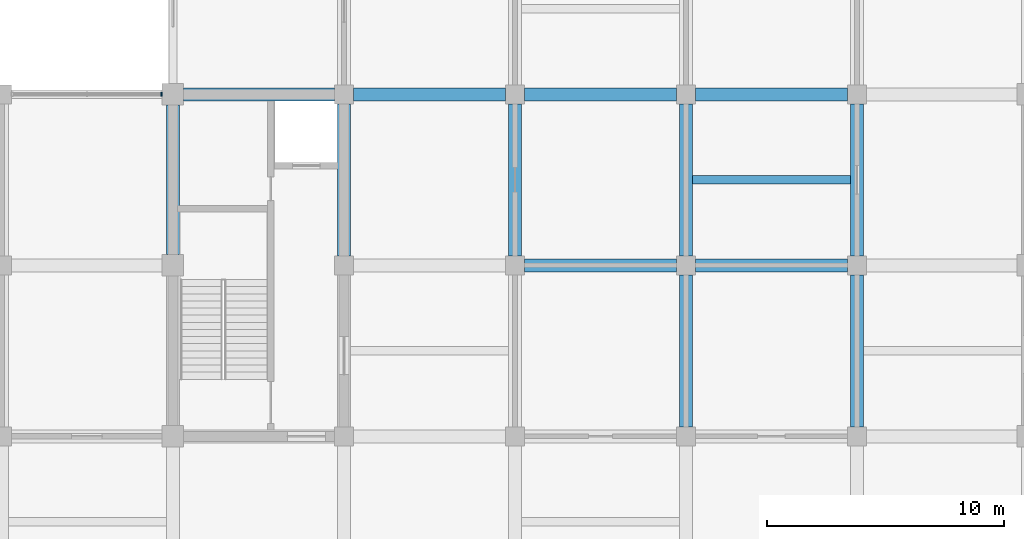
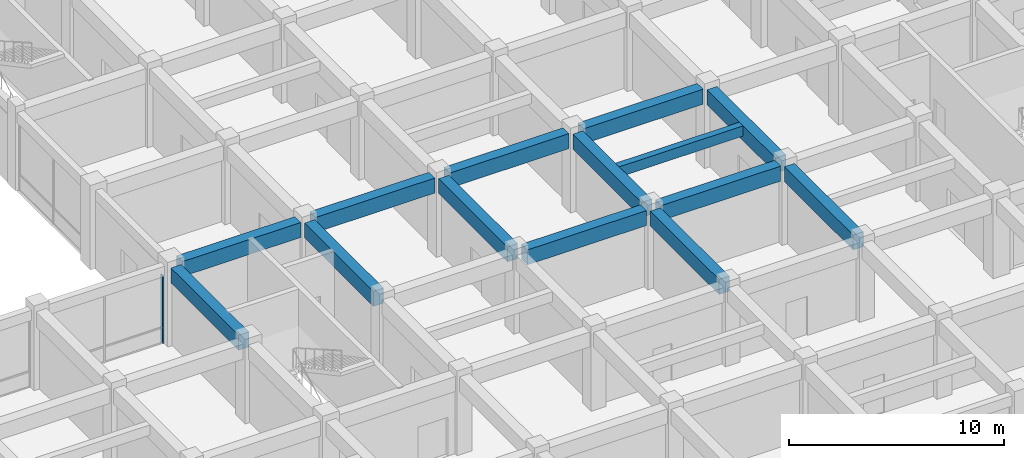
# One storey, part 11 of 75: 14 beams, 1 member, 1 element without a shape of its own.
"""IFC4 building model written with IfcOpenShell, lengths in metres."""

import ifcopenshell
import ifcopenshell.guid

model = None  # the IFC model being written
_history = None  # IfcOwnerHistory: only IFC2X3 demands one
_inside = {}  # id of a spatial element -> (the spatial element, [elements in it])
_under = {}  # id of a project, library or spatial element -> (it, [spatial elements below it])
_declared = {}  # id of a project -> (the project, [libraries it declares])
_typed = {}  # id of a type object -> (the type object, [elements of that type])
_made_of = {}  # id of a material, layer set ... -> (it, [elements and type objects made of it])


def new_model(schema):
    """Start an empty IFC model of exactly this schema.

    Asked for "IFC4X3", IfcOpenShell would pick the latest addendum, in which some entities
    have other attributes; the version numbers below select the first issue.
    IFC2X3 requires an IfcOwnerHistory on every rooted entity: one is made here for all.
    """
    global model, _history
    if schema == "IFC4X3":
        model = ifcopenshell.file(schema_version=(4, 3, 0, 0))
    else:
        model = ifcopenshell.file(schema=schema)
    _inside.clear()
    _under.clear()
    _declared.clear()
    _typed.clear()
    _made_of.clear()
    _history = None
    if model.schema == "IFC2X3":
        org = make("IfcOrganization", Name="unknown")
        user = make(
            "IfcPersonAndOrganization",
            ThePerson=make("IfcPerson", FamilyName="unknown"),
            TheOrganization=org,
        )
        app = make(
            "IfcApplication",
            ApplicationDeveloper=org,
            Version="unknown",
            ApplicationFullName="unknown",
            ApplicationIdentifier="unknown",
        )
        _history = make(
            "IfcOwnerHistory",
            OwningUser=user,
            OwningApplication=app,
            ChangeAction="ADDED",
            CreationDate=0,
        )
    return model


def make(cls, **values):
    """One entity of the class cls with the attributes given. An attribute that is None is left unset."""
    return model.create_entity(
        cls, **{name: value for name, value in values.items() if value is not None}
    )


def rooted(cls, **values):
    """An entity with a GlobalId (a new one), such as an element, a storey or a relation."""
    return make(cls, GlobalId=ifcopenshell.guid.new(), OwnerHistory=_history, **values)


def si_unit(unit_type, name, prefix=None):
    """IfcSIUnit, for example si_unit("LENGTHUNIT", "METRE", prefix="MILLI")."""
    return make("IfcSIUnit", UnitType=unit_type, Prefix=prefix, Name=name)


def assignment(units):
    """IfcUnitAssignment: the units of a project."""
    return None if units is None else make("IfcUnitAssignment", Units=units)


def point(xyz):
    """IfcCartesianPoint."""
    return None if xyz is None else make("IfcCartesianPoint", Coordinates=xyz)


def direction(xyz):
    """IfcDirection."""
    return None if xyz is None else make("IfcDirection", DirectionRatios=xyz)


def frame(location, z_axis=None, x_axis=None):
    """IfcAxis2Placement3D, a coordinate frame: its origin and axes. An axis left out is left unset."""
    return make(
        "IfcAxis2Placement3D",
        Location=point(location),
        Axis=direction(z_axis),
        RefDirection=direction(x_axis),
    )


def frame_2d(location, x_axis=None):
    """IfcAxis2Placement2D, a coordinate frame in the plane: its origin and x axis."""
    return make(
        "IfcAxis2Placement2D", Location=point(location), RefDirection=direction(x_axis)
    )


def origin():
    """The frame at (0, 0, 0) with its axes left unset."""
    return frame((0.0, 0.0, 0.0))


def origin_2d():
    """The frame at (0, 0) in the plane with its x axis left unset."""
    return frame_2d((0.0, 0.0))


def place(relative_to, where):
    """IfcLocalPlacement: puts the frame where relative to a parent placement (None: the world)."""
    return make(
        "IfcLocalPlacement", PlacementRelTo=relative_to, RelativePlacement=where
    )


def context(
    kind, dimensions, precision=None, world=None, true_north=None, identifier=None
):
    """IfcGeometricRepresentationContext, for example the 3D "Model" context."""
    return make(
        "IfcGeometricRepresentationContext",
        ContextIdentifier=identifier,
        ContextType=kind,
        CoordinateSpaceDimension=dimensions,
        Precision=precision,
        WorldCoordinateSystem=world,
        TrueNorth=true_north,
    )


def subcontext(parent, identifier, kind, view, scale=None):
    """IfcGeometricRepresentationSubContext, for example "Body" below "Model"."""
    return make(
        "IfcGeometricRepresentationSubContext",
        ContextIdentifier=identifier,
        ContextType=kind,
        ParentContext=parent,
        TargetScale=scale,
        TargetView=view,
    )


def project(units=None, contexts=None):
    """IfcProject with its units and contexts."""
    return rooted(
        "IfcProject",
        Name="project",
        RepresentationContexts=contexts,
        UnitsInContext=assignment(units),
    )


def spatial(cls, under=None, at=None, **own):
    """A site, building, storey or space (cls), placed at a placement, below another one or the project."""
    s = rooted(cls, ObjectPlacement=at, **own)
    if under is not None:
        _under.setdefault(under.id(), (under, []))[1].append(s)
    return s


def profile(cls, at=None, kind="AREA", **sizes):
    """A parametric profile (cls). Its sizes go by their IFC names, for example OverallWidth=200.0."""
    return make(cls, ProfileType=kind, Position=at, **sizes)


def rectangle(**sizes):
    """IfcRectangleProfileDef."""
    return profile("IfcRectangleProfileDef", **sizes)


def extrude(swept, where, along, depth):
    """IfcExtrudedAreaSolid: the profile swept, set in the frame where, extruded along a direction by depth."""
    return make(
        "IfcExtrudedAreaSolid",
        SweptArea=swept,
        Position=where,
        ExtrudedDirection=direction(along),
        Depth=depth,
    )


def shape(context_of_items, identifier, shape_type, items):
    """IfcShapeRepresentation: the items that make up one representation, for example the "Body"."""
    return make(
        "IfcShapeRepresentation",
        ContextOfItems=context_of_items,
        RepresentationIdentifier=identifier,
        RepresentationType=shape_type,
        Items=items,
    )


def material(Name=None, Category=None):
    """IfcMaterial."""
    return make("IfcMaterial", Name=Name, Category=Category)


def layer(
    of_material, thickness, ventilated=None, Name=None, Category=None, Priority=None
):
    """IfcMaterialLayer: one layer of a wall or slab, of a material (None: an air gap)."""
    return make(
        "IfcMaterialLayer",
        Material=of_material,
        LayerThickness=thickness,
        IsVentilated=ventilated,
        Name=Name,
        Category=Category,
        Priority=Priority,
    )


def layer_set(layers, Name=None):
    """IfcMaterialLayerSet."""
    return make("IfcMaterialLayerSet", MaterialLayers=layers, LayerSetName=Name)


def material_profile(
    of_material, cross_section, Name=None, Category=None, Priority=None
):
    """IfcMaterialProfile: a cross section and its material."""
    return make(
        "IfcMaterialProfile",
        Name=Name,
        Material=of_material,
        Profile=cross_section,
        Priority=Priority,
        Category=Category,
    )


def profile_set(profiles, Name=None, composite=None):
    """IfcMaterialProfileSet."""
    return make(
        "IfcMaterialProfileSet",
        Name=Name,
        MaterialProfiles=profiles,
        CompositeProfile=composite,
    )


def made_of(thing, what):
    """Note that an element or type object is made of a material, layer set ...; save() writes the relation."""
    if what is not None:
        _made_of.setdefault(what.id(), (what, []))[1].append(thing)
    return thing


def type_object(cls, material=None, **own):
    """A type object (cls), such as IfcWallType, which elements share."""
    return made_of(rooted(cls, **own), material)


def element(
    cls,
    number,
    at=None,
    inside=None,
    cuts=None,
    type_object=None,
    material=None,
    context=None,
    identifier="Body",
    shape_type=None,
    held_by="IfcProductDefinitionShape",
    body=None,
    shapes=None,
    **own,
):
    """One element of the class cls, such as IfcWall. Its Tag is "e" and its number.

    at: its placement. inside: the storey or other place that contains it. cuts: it is an
    opening in that element (IfcRelVoidsElement). A single representation is given by context,
    identifier, shape_type and body (its items); several are given by shapes. held_by: the class
    of the entity that holds the representations. save() writes the other relations.
    """
    e = rooted(cls, Tag="e%d" % number, ObjectPlacement=at, **own)
    if body is not None:
        shapes = [shape(context, identifier, shape_type, body)]
    if shapes is not None:
        e.Representation = make(held_by, Representations=shapes)
    if inside is not None:
        _inside.setdefault(inside.id(), (inside, []))[1].append(e)
    if cuts is not None:
        rooted(
            "IfcRelVoidsElement", RelatingBuildingElement=cuts, RelatedOpeningElement=e
        )
    if type_object is not None:
        _typed.setdefault(type_object.id(), (type_object, []))[1].append(e)
    return made_of(e, material)


def aggregate(whole, parts):
    """IfcRelAggregates: a whole, such as a stair, and the parts it consists of."""
    return rooted("IfcRelAggregates", RelatingObject=whole, RelatedObjects=parts)


def save(model, path):
    """Write the relations noted so far, then the file.

    IfcRelAggregates (storeys below a building ...), IfcRelContainedInSpatialStructure (elements
    in a storey), IfcRelDefinesByType, IfcRelAssociatesMaterial and IfcRelDeclares: one each for
    every whole, place, type object, material and project.
    """
    for whole, parts in _under.values():
        aggregate(whole, parts)
    for where, things in _inside.values():
        rooted(
            "IfcRelContainedInSpatialStructure",
            RelatedElements=things,
            RelatingStructure=where,
        )
    for kind, things in _typed.values():
        rooted("IfcRelDefinesByType", RelatedObjects=things, RelatingType=kind)
    for what, things in _made_of.values():
        rooted("IfcRelAssociatesMaterial", RelatedObjects=things, RelatingMaterial=what)
    for by, libraries in _declared.values():
        rooted("IfcRelDeclares", RelatingContext=by, RelatedDefinitions=libraries)
    model.write(path)


model = new_model("IFC4")

# Units and contexts
model_context = context("Model", 3, precision=1e-05, world=origin(), true_north=direction((0.0, 1.0)))
body_context = subcontext(model_context, "Body", "Model", "MODEL_VIEW")
ifc_project = project(units=[si_unit("LENGTHUNIT", "METRE"), si_unit("AREAUNIT", "SQUARE_METRE"), si_unit("VOLUMEUNIT", "CUBIC_METRE"), si_unit("PLANEANGLEUNIT", "RADIAN"), si_unit("MASSUNIT", "GRAM", prefix="KILO")], contexts=[model_context])

# Site, building, storey
site_placement = place(None, origin())
site = spatial("IfcSite", under=ifc_project, at=site_placement, CompositionType="ELEMENT")
building_placement = place(site_placement, origin())
building = spatial("IfcBuilding", under=site, at=building_placement, Name="Cendaluz Park School", CompositionType="ELEMENT")
storey_placement = place(building_placement, frame((0.0, 0.0, 4.800048828125)))
storey = spatial("IfcBuildingStorey", under=building, at=storey_placement, Name="L01", CompositionType="ELEMENT", Elevation=4.800048828125)

# Beams
ifc_material_1 = material(Name="Concrete C40/50", Category="concrete")
ifc_material_profile_1 = material_profile(ifc_material_1, rectangle(XDim=0.550048828125, YDim=0.85009765625, at=origin_2d()), Name="RC 550x850", Category="concrete")
ifc_profile_set_1 = profile_set([ifc_material_profile_1], Name="Concrete C40/50")
beam_type_1 = type_object("IfcBeamType", Name="BM-RC01", PredefinedType="BEAM", material=ifc_profile_set_1)
beam_1_placement = place(storey_placement, frame((65.25, 28.800048828125, 4.0048828125), z_axis=(1.0, 0.0, 0.0), x_axis=(0.0, 1.0, 0.0)))
element("IfcBeam", 1, at=beam_1_placement, inside=storey, type_object=beam_type_1, Name="BM-L01-BMRC01-0085", PredefinedType="BEAM", context=body_context, shape_type="SweptSolid", body=[
    extrude(rectangle(XDim=0.550048828125, YDim=0.85009765625, at=origin_2d()), origin(), (0.0, 0.0, 1.0), 6.35009765625),
])
beam_2_placement = place(storey_placement, frame((72.39990234375, 28.800048828125, 4.0048828125), z_axis=(1.0, 0.0, 0.0), x_axis=(0.0, 1.0, 0.0)))
element("IfcBeam", 2, at=beam_2_placement, inside=storey, type_object=beam_type_1, Name="BM-L01-BMRC01-0095", PredefinedType="BEAM", context=body_context, shape_type="SweptSolid", body=[
    extrude(rectangle(XDim=0.550048828125, YDim=0.85009765625, at=origin_2d()), origin(), (0.0, 0.0, 1.0), 6.400146484375),
])
for number, where, z_axis, x_axis, name in (
    (3, (79.60009765625, 21.60009765625, 4.0048828125), (1.0, 0.0, 0.0), (0.0, 1.0, 0.0), "BM-L01-BMRC01-0105"),
    (4, (79.60009765625, 28.800048828125, 4.0048828125), (1.0, 0.0, 0.0), (0.0, 1.0, 0.0), "BM-L01-BMRC01-0106"),
    (5, (86.800048828125, 21.60009765625, 4.0048828125), (1.0, 0.0, 0.0), (0.0, 1.0, 0.0), "BM-L01-BMRC01-0116"),
    (6, (86.800048828125, 28.800048828125, 4.0048828125), (1.0, 0.0, 0.0), (0.0, 1.0, 0.0), "BM-L01-BMRC01-0117"),
):
    element("IfcBeam", number, at=place(storey_placement, frame(where, z_axis=z_axis, x_axis=x_axis)), inside=storey, type_object=beam_type_1, Name=name, PredefinedType="BEAM", context=body_context, shape_type="SweptSolid", body=[
        extrude(rectangle(XDim=0.550048828125, YDim=0.85009765625, at=origin_2d()), origin(), (0.0, 0.0, 1.0), 6.39990234375),
    ])
beam_3_placement = place(storey_placement, frame((64.800048828125, 22.050048828125, 4.0048828125), z_axis=(0.0, 1.0, 0.0), x_axis=(-1.0, 0.0, 0.0)))
element("IfcBeam", 7, at=beam_3_placement, inside=storey, type_object=beam_type_1, Name="BM-L01-BMRC01-0313", PredefinedType="BEAM", context=body_context, shape_type="SweptSolid", body=[
    extrude(rectangle(XDim=0.550048828125, YDim=0.85009765625, at=origin_2d()), origin(), (0.0, 0.0, 1.0), 6.300048828125),
])
for number, where, z_axis, x_axis, name in (
    (8, (72.0, 22.0, 4.0048828125), (0.0, 1.0, 0.0), (-1.0, 0.0, 0.0), "BM-L01-BMRC01-0323"),
    (9, (79.199951171875, 22.0, 4.0048828125), (0.0, 1.0, 0.0), (-1.0, 0.0, 0.0), "BM-L01-BMRC01-0333"),
    (10, (86.39990234375, 14.800048828125, 4.0048828125), (0.0, 1.0, 0.0), (-1.0, 0.0, 0.0), "BM-L01-BMRC01-0342"),
    (11, (86.39990234375, 22.0, 4.0048828125), (0.0, 1.0, 0.0), (-1.0, 0.0, 0.0), "BM-L01-BMRC01-0343"),
    (12, (93.60009765625, 14.800048828125, 4.0048828125), (0.0, 1.0, 0.0), (-1.0, 0.0, 0.0), "BM-L01-BMRC01-0352"),
    (13, (93.60009765625, 22.0, 4.0048828125), (0.0, 1.0, 0.0), (-1.0, 0.0, 0.0), "BM-L01-BMRC01-0353"),
):
    element("IfcBeam", number, at=place(storey_placement, frame(where, z_axis=z_axis, x_axis=x_axis)), inside=storey, type_object=beam_type_1, Name=name, PredefinedType="BEAM", context=body_context, shape_type="SweptSolid", body=[
        extrude(rectangle(XDim=0.550048828125, YDim=0.85009765625, at=origin_2d()), origin(), (0.0, 0.0, 1.0), 6.39990234375),
    ])

# Curtain wall, member
ifc_material_2 = material(Name="Anodised Aluminium 6063-T6", Category="aluminium")
ifc_layer = layer(ifc_material_2, 0.179931640625)
ifc_layer_set = layer_set([ifc_layer], Name="Anodised Aluminium 6063-T6")
curtain_wall_type = type_object("IfcCurtainWallType", Name="CW-127x77", PredefinedType="NOTDEFINED", material=ifc_layer_set)
curtain_wall_placement = place(storey_placement, origin())
curtain_wall = element("IfcCurtainWall", 14, at=curtain_wall_placement, inside=storey, type_object=curtain_wall_type, Name="CW-L01-038", PredefinedType="NOTDEFINED")
ifc_material_profile_2 = material_profile(ifc_material_2, rectangle(XDim=0.179931640625, YDim=0.070068359375, at=origin_2d()), Name="CWM 180x70", Category="aluminium")
ifc_profile_set_2 = profile_set([ifc_material_profile_2], Name="Anodised Aluminium 6063-T6")
member_type = type_object("IfcMemberType", Name="CWM-01", PredefinedType="MULLION", material=ifc_profile_set_2)
member_placement = place(storey_placement, frame((64.31494140625, 28.800048828125, 0.0), z_axis=(0.0, 0.0, 1.0), x_axis=(0.0, 1.0, 0.0)))
member = element("IfcMember", 15, at=member_placement, type_object=member_type, Name="CP-L01-0484", PredefinedType="MULLION", context=body_context, shape_type="SweptSolid", body=[
    extrude(rectangle(XDim=0.179931640625, YDim=0.070068359375, at=origin_2d()), origin(), (0.0, 0.0, 1.0), 3.849853515625),
])
aggregate(curtain_wall, [member])

# Beam
ifc_material_profile_3 = material_profile(ifc_material_1, rectangle(XDim=0.35009765625, YDim=0.580078125, at=origin_2d()), Name="RC 350x580", Category="concrete")
ifc_profile_set_3 = profile_set([ifc_material_profile_3], Name="Concrete C40/50")
beam_type_2 = type_object("IfcBeamType", Name="JT-RC01", PredefinedType="JOIST", material=ifc_profile_set_3)
beam_4_placement = place(storey_placement, frame((86.675048828125, 25.199951171875, 4.139892578125), z_axis=(1.0, 0.0, 0.0), x_axis=(0.0, 1.0, 0.0)))
element("IfcBeam", 16, at=beam_4_placement, inside=storey, type_object=beam_type_2, Name="BM-L01-JTRC01-0496", PredefinedType="JOIST", context=body_context, shape_type="SweptSolid", body=[
    extrude(rectangle(XDim=0.35009765625, YDim=0.580078125, at=origin_2d()), origin(), (0.0, 0.0, 1.0), 6.64990234375),
])

save(model, "model.ifc")
